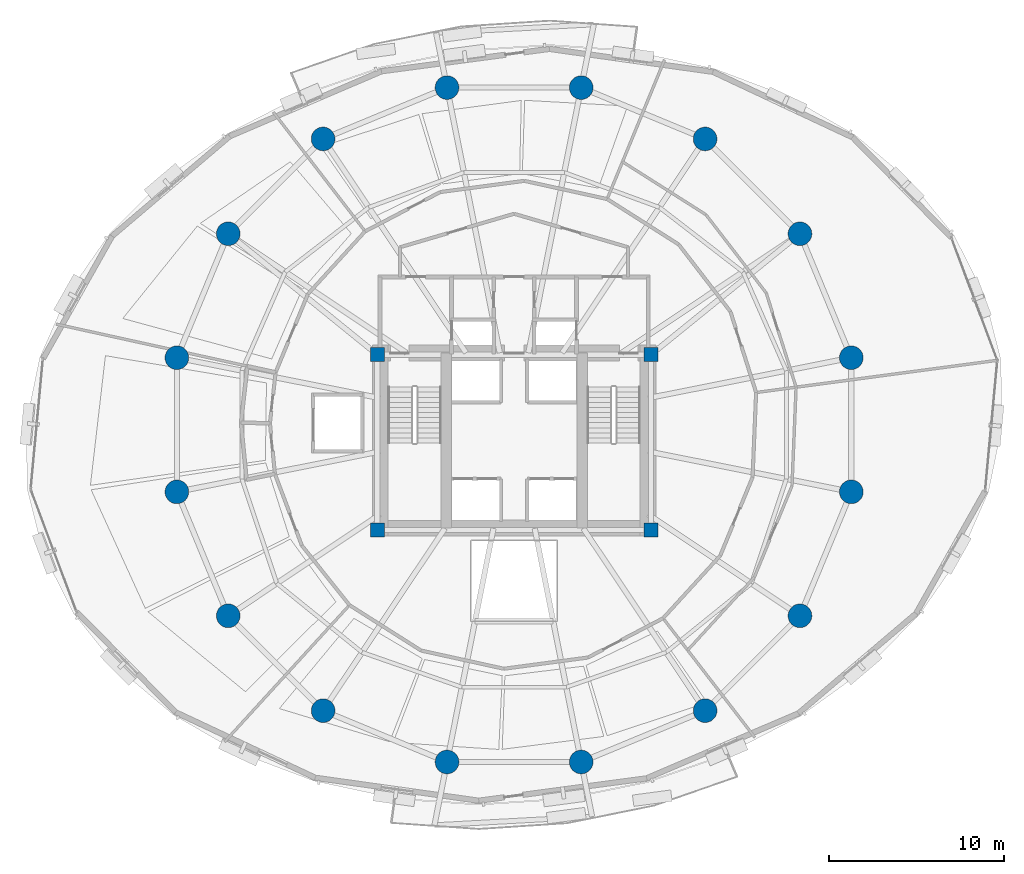
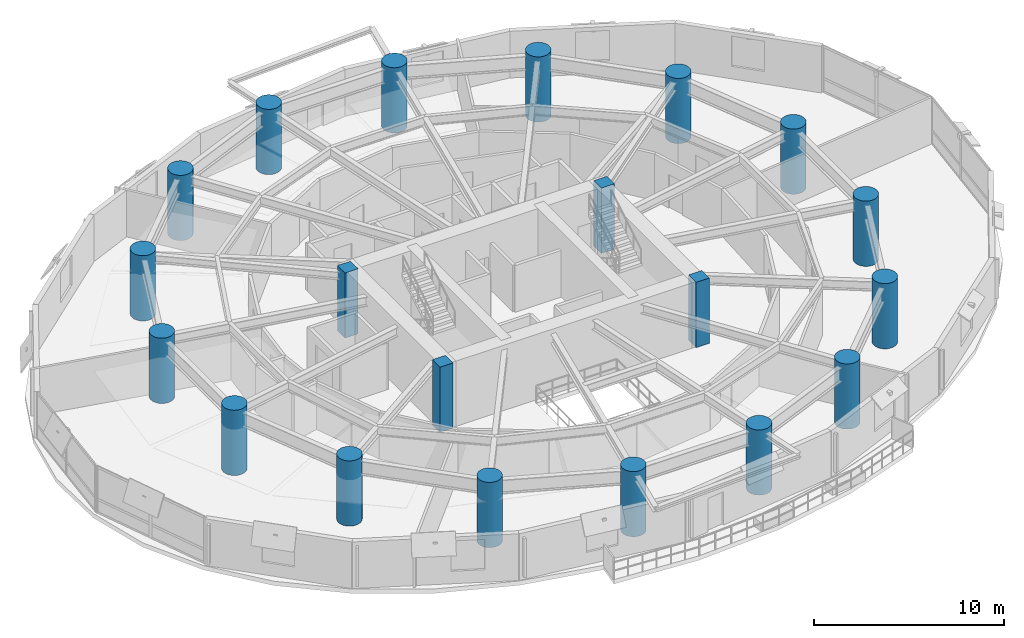
# One storey, part 1 of 17: 20 columns.
"""IFC4 building model written with IfcOpenShell, lengths in metres."""

import ifcopenshell
import ifcopenshell.guid

model = None  # the IFC model being written
_history = None  # IfcOwnerHistory: only IFC2X3 demands one
_inside = {}  # id of a spatial element -> (the spatial element, [elements in it])
_under = {}  # id of a project, library or spatial element -> (it, [spatial elements below it])
_declared = {}  # id of a project -> (the project, [libraries it declares])
_typed = {}  # id of a type object -> (the type object, [elements of that type])
_made_of = {}  # id of a material, layer set ... -> (it, [elements and type objects made of it])


def new_model(schema):
    """Start an empty IFC model of exactly this schema.

    Asked for "IFC4X3", IfcOpenShell would pick the latest addendum, in which some entities
    have other attributes; the version numbers below select the first issue.
    IFC2X3 requires an IfcOwnerHistory on every rooted entity: one is made here for all.
    """
    global model, _history
    if schema == "IFC4X3":
        model = ifcopenshell.file(schema_version=(4, 3, 0, 0))
    else:
        model = ifcopenshell.file(schema=schema)
    _inside.clear()
    _under.clear()
    _declared.clear()
    _typed.clear()
    _made_of.clear()
    _history = None
    if model.schema == "IFC2X3":
        org = make("IfcOrganization", Name="unknown")
        user = make(
            "IfcPersonAndOrganization",
            ThePerson=make("IfcPerson", FamilyName="unknown"),
            TheOrganization=org,
        )
        app = make(
            "IfcApplication",
            ApplicationDeveloper=org,
            Version="unknown",
            ApplicationFullName="unknown",
            ApplicationIdentifier="unknown",
        )
        _history = make(
            "IfcOwnerHistory",
            OwningUser=user,
            OwningApplication=app,
            ChangeAction="ADDED",
            CreationDate=0,
        )
    return model


def make(cls, **values):
    """One entity of the class cls with the attributes given. An attribute that is None is left unset."""
    return model.create_entity(
        cls, **{name: value for name, value in values.items() if value is not None}
    )


def rooted(cls, **values):
    """An entity with a GlobalId (a new one), such as an element, a storey or a relation."""
    return make(cls, GlobalId=ifcopenshell.guid.new(), OwnerHistory=_history, **values)


def si_unit(unit_type, name, prefix=None):
    """IfcSIUnit, for example si_unit("LENGTHUNIT", "METRE", prefix="MILLI")."""
    return make("IfcSIUnit", UnitType=unit_type, Prefix=prefix, Name=name)


def assignment(units):
    """IfcUnitAssignment: the units of a project."""
    return None if units is None else make("IfcUnitAssignment", Units=units)


def point(xyz):
    """IfcCartesianPoint."""
    return None if xyz is None else make("IfcCartesianPoint", Coordinates=xyz)


def direction(xyz):
    """IfcDirection."""
    return None if xyz is None else make("IfcDirection", DirectionRatios=xyz)


def frame(location, z_axis=None, x_axis=None):
    """IfcAxis2Placement3D, a coordinate frame: its origin and axes. An axis left out is left unset."""
    return make(
        "IfcAxis2Placement3D",
        Location=point(location),
        Axis=direction(z_axis),
        RefDirection=direction(x_axis),
    )


def frame_2d(location, x_axis=None):
    """IfcAxis2Placement2D, a coordinate frame in the plane: its origin and x axis."""
    return make(
        "IfcAxis2Placement2D", Location=point(location), RefDirection=direction(x_axis)
    )


def origin():
    """The frame at (0, 0, 0) with its axes left unset."""
    return frame((0.0, 0.0, 0.0))


def origin_2d():
    """The frame at (0, 0) in the plane with its x axis left unset."""
    return frame_2d((0.0, 0.0))


def place(relative_to, where):
    """IfcLocalPlacement: puts the frame where relative to a parent placement (None: the world)."""
    return make(
        "IfcLocalPlacement", PlacementRelTo=relative_to, RelativePlacement=where
    )


def context(
    kind, dimensions, precision=None, world=None, true_north=None, identifier=None
):
    """IfcGeometricRepresentationContext, for example the 3D "Model" context."""
    return make(
        "IfcGeometricRepresentationContext",
        ContextIdentifier=identifier,
        ContextType=kind,
        CoordinateSpaceDimension=dimensions,
        Precision=precision,
        WorldCoordinateSystem=world,
        TrueNorth=true_north,
    )


def subcontext(parent, identifier, kind, view, scale=None):
    """IfcGeometricRepresentationSubContext, for example "Body" below "Model"."""
    return make(
        "IfcGeometricRepresentationSubContext",
        ContextIdentifier=identifier,
        ContextType=kind,
        ParentContext=parent,
        TargetScale=scale,
        TargetView=view,
    )


def project(units=None, contexts=None):
    """IfcProject with its units and contexts."""
    return rooted(
        "IfcProject",
        Name="project",
        RepresentationContexts=contexts,
        UnitsInContext=assignment(units),
    )


def spatial(cls, under=None, at=None, **own):
    """A site, building, storey or space (cls), placed at a placement, below another one or the project."""
    s = rooted(cls, ObjectPlacement=at, **own)
    if under is not None:
        _under.setdefault(under.id(), (under, []))[1].append(s)
    return s


def profile(cls, at=None, kind="AREA", **sizes):
    """A parametric profile (cls). Its sizes go by their IFC names, for example OverallWidth=200.0."""
    return make(cls, ProfileType=kind, Position=at, **sizes)


def rectangle(**sizes):
    """IfcRectangleProfileDef."""
    return profile("IfcRectangleProfileDef", **sizes)


def circle(**sizes):
    """IfcCircleProfileDef."""
    return profile("IfcCircleProfileDef", **sizes)


def extrude(swept, where, along, depth):
    """IfcExtrudedAreaSolid: the profile swept, set in the frame where, extruded along a direction by depth."""
    return make(
        "IfcExtrudedAreaSolid",
        SweptArea=swept,
        Position=where,
        ExtrudedDirection=direction(along),
        Depth=depth,
    )


def shape(context_of_items, identifier, shape_type, items):
    """IfcShapeRepresentation: the items that make up one representation, for example the "Body"."""
    return make(
        "IfcShapeRepresentation",
        ContextOfItems=context_of_items,
        RepresentationIdentifier=identifier,
        RepresentationType=shape_type,
        Items=items,
    )


def material(Name=None, Category=None):
    """IfcMaterial."""
    return make("IfcMaterial", Name=Name, Category=Category)


def material_profile(
    of_material, cross_section, Name=None, Category=None, Priority=None
):
    """IfcMaterialProfile: a cross section and its material."""
    return make(
        "IfcMaterialProfile",
        Name=Name,
        Material=of_material,
        Profile=cross_section,
        Priority=Priority,
        Category=Category,
    )


def profile_set(profiles, Name=None, composite=None):
    """IfcMaterialProfileSet."""
    return make(
        "IfcMaterialProfileSet",
        Name=Name,
        MaterialProfiles=profiles,
        CompositeProfile=composite,
    )


def made_of(thing, what):
    """Note that an element or type object is made of a material, layer set ...; save() writes the relation."""
    if what is not None:
        _made_of.setdefault(what.id(), (what, []))[1].append(thing)
    return thing


def type_object(cls, material=None, **own):
    """A type object (cls), such as IfcWallType, which elements share."""
    return made_of(rooted(cls, **own), material)


def element(
    cls,
    number,
    at=None,
    inside=None,
    cuts=None,
    type_object=None,
    material=None,
    context=None,
    identifier="Body",
    shape_type=None,
    held_by="IfcProductDefinitionShape",
    body=None,
    shapes=None,
    **own,
):
    """One element of the class cls, such as IfcWall. Its Tag is "e" and its number.

    at: its placement. inside: the storey or other place that contains it. cuts: it is an
    opening in that element (IfcRelVoidsElement). A single representation is given by context,
    identifier, shape_type and body (its items); several are given by shapes. held_by: the class
    of the entity that holds the representations. save() writes the other relations.
    """
    e = rooted(cls, Tag="e%d" % number, ObjectPlacement=at, **own)
    if body is not None:
        shapes = [shape(context, identifier, shape_type, body)]
    if shapes is not None:
        e.Representation = make(held_by, Representations=shapes)
    if inside is not None:
        _inside.setdefault(inside.id(), (inside, []))[1].append(e)
    if cuts is not None:
        rooted(
            "IfcRelVoidsElement", RelatingBuildingElement=cuts, RelatedOpeningElement=e
        )
    if type_object is not None:
        _typed.setdefault(type_object.id(), (type_object, []))[1].append(e)
    return made_of(e, material)


def aggregate(whole, parts):
    """IfcRelAggregates: a whole, such as a stair, and the parts it consists of."""
    return rooted("IfcRelAggregates", RelatingObject=whole, RelatedObjects=parts)


def save(model, path):
    """Write the relations noted so far, then the file.

    IfcRelAggregates (storeys below a building ...), IfcRelContainedInSpatialStructure (elements
    in a storey), IfcRelDefinesByType, IfcRelAssociatesMaterial and IfcRelDeclares: one each for
    every whole, place, type object, material and project.
    """
    for whole, parts in _under.values():
        aggregate(whole, parts)
    for where, things in _inside.values():
        rooted(
            "IfcRelContainedInSpatialStructure",
            RelatedElements=things,
            RelatingStructure=where,
        )
    for kind, things in _typed.values():
        rooted("IfcRelDefinesByType", RelatedObjects=things, RelatingType=kind)
    for what, things in _made_of.values():
        rooted("IfcRelAssociatesMaterial", RelatedObjects=things, RelatingMaterial=what)
    for by, libraries in _declared.values():
        rooted("IfcRelDeclares", RelatingContext=by, RelatedDefinitions=libraries)
    model.write(path)


model = new_model("IFC4")

# Units and contexts
model_context = context("Model", 3, precision=1e-05, world=origin(), true_north=direction((0.0, 1.0)))
body_context = subcontext(model_context, "Body", "Model", "MODEL_VIEW")
ifc_project = project(units=[si_unit("LENGTHUNIT", "METRE"), si_unit("AREAUNIT", "SQUARE_METRE"), si_unit("VOLUMEUNIT", "CUBIC_METRE"), si_unit("PLANEANGLEUNIT", "RADIAN"), si_unit("MASSUNIT", "GRAM", prefix="KILO"), si_unit("THERMODYNAMICTEMPERATUREUNIT", "KELVIN"), si_unit("POWERUNIT", "WATT")], contexts=[model_context])

# Site, building, storey
site_placement = place(None, origin())
site = spatial("IfcSite", under=ifc_project, at=site_placement, CompositionType="ELEMENT")
building_placement = place(site_placement, origin())
building = spatial("IfcBuilding", under=site, at=building_placement, Name="Ocrelia Relay Tower", CompositionType="ELEMENT")
storey_placement = place(building_placement, frame((0.0, 0.0, 63.60009765625)))
storey = spatial("IfcBuildingStorey", under=building, at=storey_placement, Name="L14", CompositionType="ELEMENT", Elevation=63.60009765625)

# Columns
ifc_material_1 = material(Name="Concrete C70/85", Category="concrete")
ifc_material_profile_1 = material_profile(ifc_material_1, circle(Radius=0.675048828125, at=origin_2d()), Name="RC-CIR-1350")
ifc_profile_set_1 = profile_set([ifc_material_profile_1], Name="Concrete C70/85")
column_type_1 = type_object("IfcColumnType", Name="COL-CT-1350", PredefinedType="COLUMN", material=ifc_profile_set_1)
for number, where, z_axis, x_axis, name in (
    (1, (53.223388671875, 29.82373046875, 0.0), (0.0, 0.0, 1.0), (1.0, 0.0, 0.0), "L14 Perimeter Ring Column C01"),
    (2, (50.296875, 36.88916015625, 0.0), (0.0, 0.0, 1.0), (1.0, 0.0, 0.0), "L14 Perimeter Ring Column C02"),
    (3, (44.88916015625, 42.296875, 0.0), (0.0, 0.0, 1.0), (1.0, 0.0, 0.0), "L14 Perimeter Ring Column C03"),
    (4, (37.82373046875, 45.223388671875, 0.0), (0.0, 0.0, 1.0), (1.0, 0.0, 0.0), "L14 Perimeter Ring Column C04"),
    (5, (30.17626953125, 45.223388671875, 0.0), (0.0, 0.0, 1.0), (1.0, 0.0, 0.0), "L14 Perimeter Ring Column C05"),
    (6, (23.11083984375, 42.296875, 0.0), (0.0, 0.0, 1.0), (1.0, 0.0, 0.0), "L14 Perimeter Ring Column C06"),
    (7, (17.703125, 36.88916015625, 0.0), (0.0, 0.0, 1.0), (1.0, 0.0, 0.0), "L14 Perimeter Ring Column C07"),
    (8, (14.776611328125, 29.82373046875, 0.0), (0.0, 0.0, 1.0), (1.0, 0.0, 0.0), "L14 Perimeter Ring Column C08"),
    (9, (14.776611328125, 22.17626953125, 0.0), (0.0, 0.0, 1.0), (1.0, 0.0, 0.0), "L14 Perimeter Ring Column C09"),
    (10, (17.703125, 15.11083984375, 0.0), (0.0, 0.0, 1.0), (1.0, 0.0, 0.0), "L14 Perimeter Ring Column C10"),
    (11, (23.11083984375, 9.703125, 0.0), (0.0, 0.0, 1.0), (1.0, 0.0, 0.0), "L14 Perimeter Ring Column C11"),
    (12, (30.17626953125, 6.776611328125, 0.0), (0.0, 0.0, 1.0), (1.0, 0.0, 0.0), "L14 Perimeter Ring Column C12"),
    (13, (37.82373046875, 6.776611328125, 0.0), (0.0, 0.0, 1.0), (1.0, 0.0, 0.0), "L14 Perimeter Ring Column C13"),
    (14, (44.88916015625, 9.703125, 0.0), (0.0, 0.0, 1.0), (1.0, 0.0, 0.0), "L14 Perimeter Ring Column C14"),
    (15, (50.296875, 15.11083984375, 0.0), (0.0, 0.0, 1.0), (1.0, 0.0, 0.0), "L14 Perimeter Ring Column C15"),
    (16, (53.223388671875, 22.17626953125, 0.0), (0.0, 0.0, 1.0), (1.0, 0.0, 0.0), "L14 Perimeter Ring Column C16"),
):
    element("IfcColumn", number, at=place(storey_placement, frame(where, z_axis=z_axis, x_axis=x_axis)), inside=storey, type_object=column_type_1, Name=name, PredefinedType="COLUMN", context=body_context, shape_type="SweptSolid", body=[
        extrude(circle(Radius=0.675048828125, at=origin_2d()), origin(), (0.0, 0.0, 1.0), 4.199951171875),
    ])
ifc_material_2 = material(Name="Concrete C60/75", Category="concrete")
ifc_material_profile_2 = material_profile(ifc_material_2, rectangle(XDim=0.800048828125, YDim=0.800048828125, at=origin_2d()), Name="RC-COL-800x800")
ifc_profile_set_2 = profile_set([ifc_material_profile_2], Name="Concrete C60/75")
column_type_2 = type_object("IfcColumnType", Name="COL-PILASTER-800", PredefinedType="PILASTER", material=ifc_profile_set_2)
for number, where, z_axis, x_axis, name in (
    (17, (26.199951171875, 20.0, 0.0), (0.0, 0.0, 1.0), (1.0, 0.0, 0.0), "L14 Core Corner Pilaster SW"),
    (18, (41.800048828125, 20.0, 0.0), (0.0, 0.0, 1.0), (1.0, 0.0, 0.0), "L14 Core Corner Pilaster SE"),
    (19, (26.199951171875, 30.0, 0.0), (0.0, 0.0, 1.0), (1.0, 0.0, 0.0), "L14 Core Corner Pilaster NW"),
    (20, (41.800048828125, 30.0, 0.0), (0.0, 0.0, 1.0), (1.0, 0.0, 0.0), "L14 Core Corner Pilaster NE"),
):
    element("IfcColumn", number, at=place(storey_placement, frame(where, z_axis=z_axis, x_axis=x_axis)), inside=storey, type_object=column_type_2, Name=name, PredefinedType="PILASTER", context=body_context, shape_type="SweptSolid", body=[
        extrude(rectangle(XDim=0.800048828125, YDim=0.800048828125, at=origin_2d()), origin(), (0.0, 0.0, 1.0), 4.199951171875),
    ])

save(model, "model.ifc")
